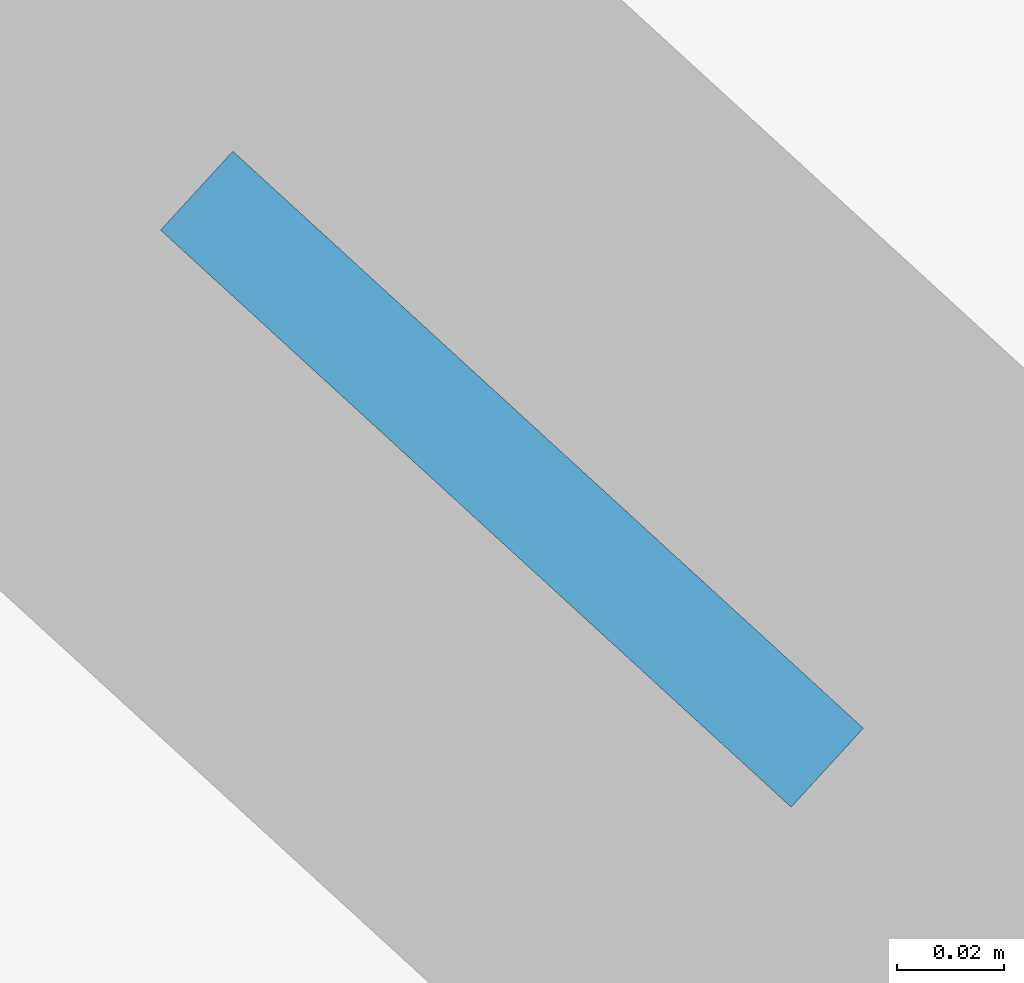
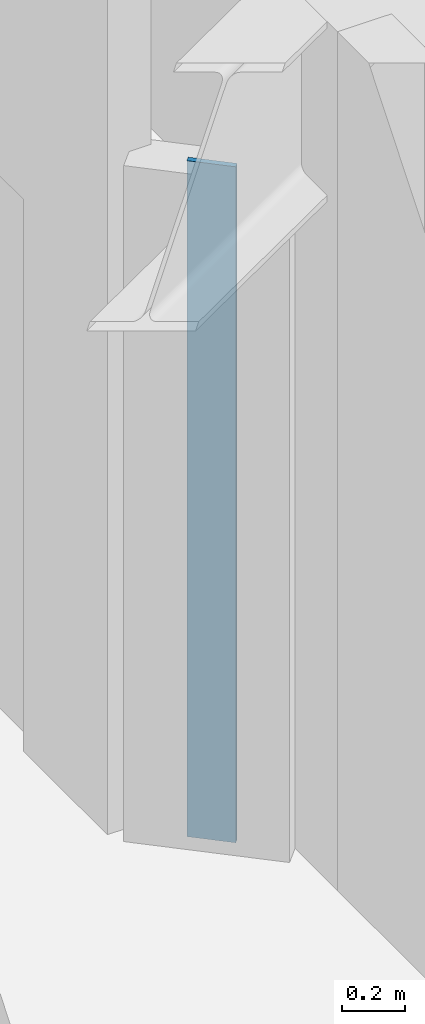
# One storey, part 3 of 12: 1 plate.
"""IFC4 building model written with IfcOpenShell, lengths in metres."""

from ifc_helpers import new_model, si_unit, direction, frame, origin, origin_2d, place, context, subcontext, project, spatial, rectangle, extrude, material, layer, layer_set, type_object, element, save


model = new_model("IFC4")

# Units and contexts
model_context = context("Model", 3, precision=1e-05, world=origin(), true_north=direction((0.0, 1.0)))
body_context = subcontext(model_context, "Body", "Model", "MODEL_VIEW")
ifc_project = project(units=[si_unit("LENGTHUNIT", "METRE"), si_unit("AREAUNIT", "SQUARE_METRE"), si_unit("VOLUMEUNIT", "CUBIC_METRE"), si_unit("PLANEANGLEUNIT", "RADIAN"), si_unit("MASSUNIT", "GRAM", prefix="KILO")], contexts=[model_context])

# Site, building, storey
site_placement = place(None, origin())
site = spatial("IfcSite", under=ifc_project, at=site_placement, CompositionType="ELEMENT")
building_placement = place(site_placement, origin())
building = spatial("IfcBuilding", under=site, at=building_placement, Name="Miruveldt Soraemaru", CompositionType="ELEMENT")
storey_placement = place(building_placement, frame((0.0, 0.0, 219.60009765625)))
storey = spatial("IfcBuildingStorey", under=building, at=storey_placement, Name="L60", CompositionType="ELEMENT", Elevation=219.60009765625)

# Plate
ifc_material = material(Name="Anodised aluminium EN AW-6063 T6", Category="aluminium")
ifc_layer = layer(ifc_material, 0.02001953125, Name="Anodised aluminium EN AW-6063 T6", Category="aluminium")
ifc_layer_set = layer_set([ifc_layer], Name="Anodised aluminium EN AW-6063 T6")
plate_type = type_object("IfcPlateType", Name="PLT-PART-TRIM", PredefinedType="SHEET", material=ifc_layer_set)
plate_placement = place(storey_placement, frame((35.14990234375, 52.873046875, 0.0), z_axis=(0.0, 0.0, 1.0), x_axis=(0.737748808042, -0.675075326339, 0.0)))
element("IfcPlate", 1, at=plate_placement, inside=storey, type_object=plate_type, Name="L60 Partition Step Corner Trim Plate 001", PredefinedType="SHEET", context=body_context, shape_type="SweptSolid", body=[
    extrude(rectangle(XDim=0.159912109375, YDim=0.02001953125, at=origin_2d()), origin(), (0.0, 0.0, 1.0), 2.633056640625),
])

save(model, "model.ifc")
